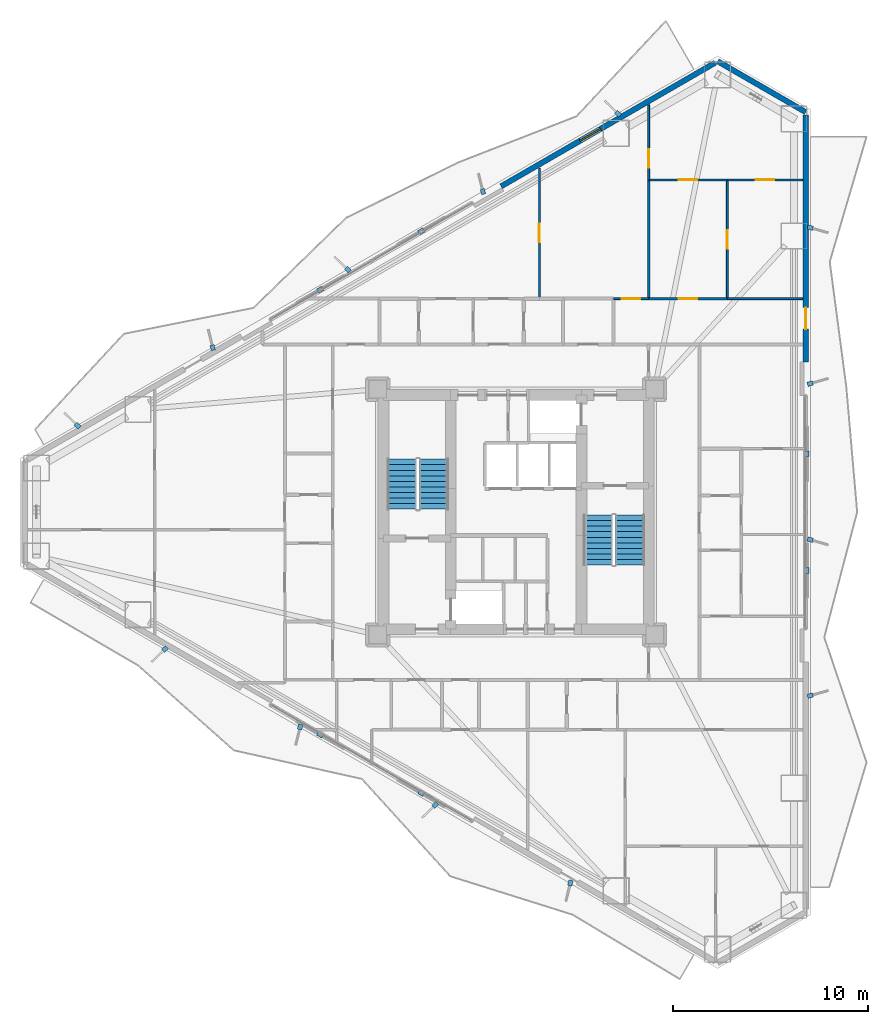
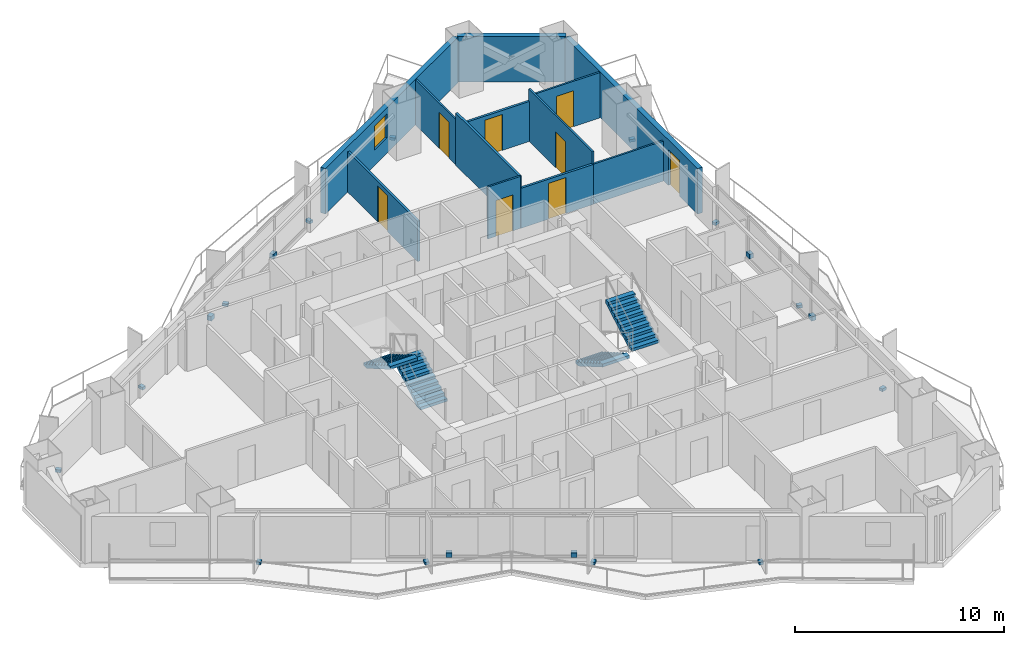
# One storey, part 17 of 19: 19 discrete accessories, 12 walls, 8 doors, 4 stair flights, 1 window, 9 openings, 2 elements without a shape of their own.
"""IFC4 building model written with IfcOpenShell, lengths in metres."""

from ifc_helpers import new_model, si_unit, direction, frame, frame_2d, origin, origin_2d, place, context, subcontext, project, spatial, polyline, rectangle, outline, extrude, material, layer, layer_set, type_object, element, fill, aggregate, save


model = new_model("IFC4")

# Units and contexts
model_context = context("Model", 3, precision=1e-05, world=origin(), true_north=direction((0.0, 1.0)))
body_context = subcontext(model_context, "Body", "Model", "MODEL_VIEW")
ifc_project = project(units=[si_unit("LENGTHUNIT", "METRE"), si_unit("AREAUNIT", "SQUARE_METRE"), si_unit("VOLUMEUNIT", "CUBIC_METRE"), si_unit("PLANEANGLEUNIT", "RADIAN"), si_unit("MASSUNIT", "GRAM", prefix="KILO")], contexts=[model_context])

# Site, building, storey
site_placement = place(None, origin())
site = spatial("IfcSite", under=ifc_project, at=site_placement, CompositionType="ELEMENT")
building_placement = place(site_placement, origin())
building = spatial("IfcBuilding", under=site, at=building_placement, Name="Mersakhor Tower and Convention Hall", CompositionType="ELEMENT")
storey_placement = place(building_placement, frame((0.0, 0.0, 29.10009765625)))
storey = spatial("IfcBuildingStorey", under=building, at=storey_placement, Name="L07", CompositionType="ELEMENT", Elevation=29.10009765625)

# Wall
ifc_material_1 = material(Name="Precast concrete C45/55", Category="concrete")
ifc_layer_1 = layer(ifc_material_1, 0.27490234375)
ifc_layer_set_1 = layer_set([ifc_layer_1], Name="Precast concrete C45/55")
wall_type_1 = type_object("IfcWallType", Name="WL-EXT-275", PredefinedType="SOLIDWALL", material=ifc_layer_set_1)
wall_1_placement = place(storey_placement, frame((39.3369140625, 49.865234375, 0.0), z_axis=(0.0, 0.0, 1.0), x_axis=(0.866043601342, -0.499968479581, 0.0)))
element("IfcWall", 1, at=wall_1_placement, inside=storey, type_object=wall_type_1, Name="L07 Chamfer Braced Spandrel Wall C1", PredefinedType="SOLIDWALL", context=body_context, shape_type="SweptSolid", body=[
    extrude(rectangle(XDim=5.211181640625, YDim=0.27490234375, at=frame_2d((2.60546875, 0.0))), origin(), (0.0, 0.0, 1.0), 2.659912109375),
])

# Wall, opening, window
wall_2_placement = place(storey_placement, frame((28.231689453125, 43.453857421875, 0.0), z_axis=(0.0, 0.0, 1.0), x_axis=(0.86603192154, 0.499988710747, 0.0)))
wall_2 = element("IfcWall", 2, at=wall_2_placement, inside=storey, type_object=wall_type_1, Name="L07 Exterior Facade Wall F1-B3", PredefinedType="SOLIDWALL", context=body_context, shape_type="SweptSolid", body=[
    extrude(rectangle(XDim=12.673095703125, YDim=0.27490234375, at=frame_2d((6.33642578125, 0.0))), origin(), (0.0, 0.0, 1.0), 2.659912109375),
])
opening_1_placement = place(wall_2_placement, frame((4.679931640625, 0.0, 0.89990234375)))
opening_1 = element("IfcOpeningElement", 3, at=opening_1_placement, cuts=wall_2, Name="Opening W-01", PredefinedType="OPENING", context=body_context, shape_type="SweptSolid", body=[
    extrude(rectangle(XDim=1.199951171875, YDim=1.39990234375, at=frame_2d((0.60009765625, 0.699951171875))), frame((0.0, 0.1474609375, 0.0), z_axis=(0.0, -1.0, 0.0), x_axis=(1.0, 0.0, 0.0)), (0.0, 0.0, 1.0), 0.294921875),
])
ifc_material_2 = material(Name="Dark solar low-E glazed aluminium window", Category="aluminium")
window_type = type_object("IfcWindowType", Name="WN-RES-120x150", PartitioningType="SINGLE_PANEL", PredefinedType="WINDOW", material=ifc_material_2)
window_placement = place(opening_1_placement, origin())
window = element("IfcWindow", 4, at=window_placement, inside=storey, type_object=window_type, Name="L07 Bedroom Facade Window F1-B3-1", OverallHeight=1.39990234375, OverallWidth=1.199951171875, PartitioningType="SINGLE_PANEL", PredefinedType="WINDOW", context=body_context, shape_type="SweptSolid", body=[
    extrude(rectangle(XDim=1.199951171875, YDim=1.39990234375, at=frame_2d((0.60009765625, 0.699951171875))), frame((0.0, 0.030029296875, 0.0), z_axis=(0.0, -1.0, 0.0), x_axis=(1.0, 0.0, 0.0)), (0.0, 0.0, 1.0), 0.06005859375),
])
fill(opening_1, window)

# Wall, opening, door
wall_3_placement = place(storey_placement, frame((43.85009765625, 47.109619140625, 0.0), z_axis=(0.0, 0.0, 1.0), x_axis=(0.0, -1.0, 0.0)))
wall_3 = element("IfcWall", 5, at=wall_3_placement, inside=storey, type_object=wall_type_1, Name="L07 Exterior Facade Wall F2-B1", PredefinedType="SOLIDWALL", context=body_context, shape_type="SweptSolid", body=[
    extrude(rectangle(XDim=12.673095703125, YDim=0.27490234375, at=frame_2d((6.33642578125, 0.0))), origin(), (0.0, 0.0, 1.0), 2.659912109375),
])
opening_2_placement = place(wall_3_placement, frame((9.8798828125, 0.0, 0.0)))
opening_2 = element("IfcOpeningElement", 6, at=opening_2_placement, cuts=wall_3, Name="Opening BD-02", PredefinedType="OPENING", context=body_context, shape_type="SweptSolid", body=[
    extrude(rectangle(XDim=1.10009765625, YDim=2.10009765625, at=frame_2d((0.550048828125, 1.050048828125))), frame((0.0, 0.1474609375, 0.0), z_axis=(0.0, -1.0, 0.0), x_axis=(1.0, 0.0, 0.0)), (0.0, 0.0, 1.0), 0.294921875),
])
ifc_material_3 = material(Name="Thermally broken dark aluminium and safety glass", Category="aluminium")
door_type_1 = type_object("IfcDoorType", Name="DR-BAL-110x210", OperationType="NOTDEFINED", PredefinedType="DOOR", material=ifc_material_3)
door_1_placement = place(opening_2_placement, origin())
door_1 = element("IfcDoor", 7, at=door_1_placement, inside=storey, type_object=door_type_1, Name="L07 Balcony Terrace Door F2-B1", OperationType="SINGLE_SWING_RIGHT", OverallHeight=2.10009765625, OverallWidth=1.10009765625, PredefinedType="DOOR", context=body_context, shape_type="SweptSolid", body=[
    extrude(rectangle(XDim=1.10009765625, YDim=2.10009765625, at=frame_2d((0.550048828125, 1.050048828125))), frame((0.0, 0.02490234375, 0.0), z_axis=(0.0, -1.0, 0.0), x_axis=(1.0, 0.0, 0.0)), (0.0, 0.0, 1.0), 0.050048828125),
])
fill(opening_2, door_1)

ifc_material_4 = material(Name="Lightweight gypsum partition", Category="other")
ifc_layer_2 = layer(ifc_material_4, 0.10009765625)
ifc_layer_set_2 = layer_set([ifc_layer_2], Name="Lightweight gypsum partition")
wall_type_2 = type_object("IfcWallType", Name="WL-PRT-100", PredefinedType="PARTITIONING", material=ifc_layer_set_2)
wall_4_placement = place(storey_placement, frame((34.0, 37.699951171875, 0.0), z_axis=(0.0, 0.0, 1.0), x_axis=(1.0, 0.0, 0.0)))
wall_4 = element("IfcWall", 8, at=wall_4_placement, inside=storey, type_object=wall_type_2, Name="L07 Interior Partition Wall P-116", PredefinedType="PARTITIONING", context=body_context, shape_type="SweptSolid", body=[
    extrude(rectangle(XDim=1.800048828125, YDim=0.10009765625, at=frame_2d((0.89990234375, 0.0))), origin(), (0.0, 0.0, 1.0), 3.039794921875),
])
opening_3_placement = place(wall_4_placement, frame((0.425048828125, 0.0, 0.0)))
opening_3 = element("IfcOpeningElement", 9, at=opening_3_placement, cuts=wall_4, Name="Opening RD-01", PredefinedType="OPENING", context=body_context, shape_type="SweptSolid", body=[
    extrude(rectangle(XDim=0.949951171875, YDim=2.10009765625, at=frame_2d((0.47509765625, 1.050048828125))), frame((0.0, 0.06005859375, 0.0), z_axis=(0.0, -1.0, 0.0), x_axis=(1.0, 0.0, 0.0)), (0.0, 0.0, 1.0), 0.1201171875),
])
ifc_material_5 = material(Name="Solid-core hardwood leaf in painted steel frame", Category="steel")
door_type_2 = type_object("IfcDoorType", Name="DR-INT-RM-095x210", OperationType="NOTDEFINED", PredefinedType="DOOR", material=ifc_material_5)
door_2_placement = place(opening_3_placement, origin())
door_2 = element("IfcDoor", 10, at=door_2_placement, inside=storey, type_object=door_type_2, Name="L07 L07 Flat N1 Study Room to L07 Flat N1 Master Bedroom Door", OperationType="SINGLE_SWING_RIGHT", OverallHeight=2.10009765625, OverallWidth=0.949951171875, PredefinedType="DOOR", context=body_context, shape_type="SweptSolid", body=[
    extrude(rectangle(XDim=0.949951171875, YDim=2.10009765625, at=frame_2d((0.47509765625, 1.050048828125))), frame((0.0, 0.02490234375, 0.0), z_axis=(0.0, -1.0, 0.0), x_axis=(1.0, 0.0, 0.0)), (0.0, 0.0, 1.0), 0.050048828125),
])
fill(opening_3, door_2)

# Wall
wall_5_placement = place(storey_placement, frame((39.830078125, 37.699951171875, 0.0), z_axis=(0.0, 0.0, 1.0), x_axis=(1.0, 0.0, 0.0)))
element("IfcWall", 11, at=wall_5_placement, inside=storey, type_object=wall_type_2, Name="L07 Interior Partition Wall P-118", PredefinedType="PARTITIONING", context=body_context, shape_type="SweptSolid", body=[
    extrude(rectangle(XDim=3.8583984375, YDim=0.10009765625, at=frame_2d((1.92919921875, 0.0))), origin(), (0.0, 0.0, 1.0), 2.33740234375),
])

# Wall, opening, door
wall_6_placement = place(storey_placement, frame((35.800048828125, 47.63671875, 0.0), z_axis=(0.0, 0.0, 1.0), x_axis=(0.0, -1.0, 0.0)))
wall_6 = element("IfcWall", 12, at=wall_6_placement, inside=storey, type_object=wall_type_2, Name="L07 Interior Partition Wall P-120", PredefinedType="PARTITIONING", context=body_context, shape_type="SweptSolid", body=[
    extrude(rectangle(XDim=3.856689453125, YDim=0.10009765625, at=frame_2d((1.92822265625, 0.0))), origin(), (0.0, 0.0, 1.0), 2.650390625),
])
opening_4_placement = place(wall_6_placement, frame((2.27734375, 0.0, 0.0)))
opening_4 = element("IfcOpeningElement", 13, at=opening_4_placement, cuts=wall_6, Name="Opening RD-01", PredefinedType="OPENING", context=body_context, shape_type="SweptSolid", body=[
    extrude(rectangle(XDim=0.949951171875, YDim=2.10009765625, at=frame_2d((0.47509765625, 1.050048828125))), frame((0.0, 0.06005859375, 0.0), z_axis=(0.0, -1.0, 0.0), x_axis=(1.0, 0.0, 0.0)), (0.0, 0.0, 1.0), 0.1201171875),
])
door_3_placement = place(opening_4_placement, origin())
door_3 = element("IfcDoor", 14, at=door_3_placement, inside=storey, type_object=door_type_2, Name="L07 L07 Flat N1 Master Bedroom to L07 Flat N1 Dining Room Door", OperationType="SINGLE_SWING_LEFT", OverallHeight=2.10009765625, OverallWidth=0.949951171875, PredefinedType="DOOR", context=body_context, shape_type="SweptSolid", body=[
    extrude(rectangle(XDim=0.949951171875, YDim=2.10009765625, at=frame_2d((0.47509765625, 1.050048828125))), frame((0.0, 0.02490234375, 0.0), z_axis=(0.0, -1.0, 0.0), x_axis=(1.0, 0.0, 0.0)), (0.0, 0.0, 1.0), 0.050048828125),
])
fill(opening_4, door_3)

wall_7_placement = place(storey_placement, frame((39.830078125, 43.780029296875, 0.0), z_axis=(0.0, 0.0, 1.0), x_axis=(0.0, -1.0, 0.0)))
wall_7 = element("IfcWall", 15, at=wall_7_placement, inside=storey, type_object=wall_type_2, Name="L07 Interior Partition Wall P-122", PredefinedType="PARTITIONING", context=body_context, shape_type="SweptSolid", body=[
    extrude(rectangle(XDim=6.080078125, YDim=0.10009765625, at=frame_2d((3.0400390625, 0.0))), origin(), (0.0, 0.0, 1.0), 3.039794921875),
])
opening_5_placement = place(wall_7_placement, frame((2.56494140625, 0.0, 0.0)))
opening_5 = element("IfcOpeningElement", 16, at=opening_5_placement, cuts=wall_7, Name="Opening RD-01", PredefinedType="OPENING", context=body_context, shape_type="SweptSolid", body=[
    extrude(rectangle(XDim=0.949951171875, YDim=2.10009765625, at=frame_2d((0.47509765625, 1.050048828125))), frame((0.0, 0.06005859375, 0.0), z_axis=(0.0, -1.0, 0.0), x_axis=(1.0, 0.0, 0.0)), (0.0, 0.0, 1.0), 0.1201171875),
])
door_4_placement = place(opening_5_placement, origin())
door_4 = element("IfcDoor", 17, at=door_4_placement, inside=storey, type_object=door_type_2, Name="L07 L07 Flat N1 Bedroom 2 to L07 Flat N1 Study Room Door", OperationType="SINGLE_SWING_RIGHT", OverallHeight=2.10009765625, OverallWidth=0.949951171875, PredefinedType="DOOR", context=body_context, shape_type="SweptSolid", body=[
    extrude(rectangle(XDim=0.949951171875, YDim=2.10009765625, at=frame_2d((0.47509765625, 1.050048828125))), frame((0.0, 0.02490234375, 0.0), z_axis=(0.0, -1.0, 0.0), x_axis=(1.0, 0.0, 0.0)), (0.0, 0.0, 1.0), 0.050048828125),
])
fill(opening_5, door_4)

wall_8_placement = place(storey_placement, frame((39.830078125, 43.780029296875, 0.0), z_axis=(0.0, 0.0, 1.0), x_axis=(1.0, 0.0, 0.0)))
wall_8 = element("IfcWall", 18, at=wall_8_placement, inside=storey, type_object=wall_type_2, Name="L07 Interior Partition Wall P-124", PredefinedType="PARTITIONING", context=body_context, shape_type="SweptSolid", body=[
    extrude(rectangle(XDim=3.8583984375, YDim=0.10009765625, at=frame_2d((1.92919921875, 0.0))), origin(), (0.0, 0.0, 1.0), 2.650390625),
])
opening_6_placement = place(wall_8_placement, frame((1.4541015625, 0.0, 0.0)))
opening_6 = element("IfcOpeningElement", 19, at=opening_6_placement, cuts=wall_8, Name="Opening RD-01", PredefinedType="OPENING", context=body_context, shape_type="SweptSolid", body=[
    extrude(rectangle(XDim=0.949951171875, YDim=2.10009765625, at=frame_2d((0.47509765625, 1.050048828125))), frame((0.0, 0.06005859375, 0.0), z_axis=(0.0, -1.0, 0.0), x_axis=(1.0, 0.0, 0.0)), (0.0, 0.0, 1.0), 0.1201171875),
])
door_5_placement = place(opening_6_placement, origin())
door_5 = element("IfcDoor", 20, at=door_5_placement, inside=storey, type_object=door_type_2, Name="L07 L07 Flat N1 Study Room to L07 Flat N1 Dining Room Door", OperationType="SINGLE_SWING_RIGHT", OverallHeight=2.10009765625, OverallWidth=0.949951171875, PredefinedType="DOOR", context=body_context, shape_type="SweptSolid", body=[
    extrude(rectangle(XDim=0.949951171875, YDim=2.10009765625, at=frame_2d((0.47509765625, 1.050048828125))), frame((0.0, 0.02490234375, 0.0), z_axis=(0.0, -1.0, 0.0), x_axis=(1.0, 0.0, 0.0)), (0.0, 0.0, 1.0), 0.050048828125),
])
fill(opening_6, door_5)

ifc_material_6 = material(Name="Gypsum board acoustic partition", Category="other")
ifc_layer_3 = layer(ifc_material_6, 0.125)
ifc_layer_set_3 = layer_set([ifc_layer_3], Name="Gypsum board acoustic partition")
wall_type_3 = type_object("IfcWallType", Name="WL-PRT-125", PredefinedType="PARTITIONING", material=ifc_layer_set_3)
wall_9_placement = place(storey_placement, frame((35.800048828125, 37.699951171875, 0.0), z_axis=(0.0, 0.0, 1.0), x_axis=(1.0, 0.0, 0.0)))
wall_9 = element("IfcWall", 21, at=wall_9_placement, inside=storey, type_object=wall_type_3, Name="L07 Interior Partition Wall P-117", PredefinedType="PARTITIONING", context=body_context, shape_type="SweptSolid", body=[
    extrude(rectangle(XDim=4.030029296875, YDim=0.125, at=frame_2d((2.01513671875, 0.0))), origin(), (0.0, 0.0, 1.0), 2.33740234375),
])
opening_7_placement = place(wall_9_placement, frame((1.5400390625, 0.0, 0.0)))
opening_7 = element("IfcOpeningElement", 22, at=opening_7_placement, cuts=wall_9, Name="Opening RD-01", PredefinedType="OPENING", context=body_context, shape_type="SweptSolid", body=[
    extrude(rectangle(XDim=0.949951171875, YDim=2.10009765625, at=frame_2d((0.47509765625, 1.050048828125))), frame((0.0, 0.072509765625, 0.0), z_axis=(0.0, -1.0, 0.0), x_axis=(1.0, 0.0, 0.0)), (0.0, 0.0, 1.0), 0.14501953125),
])
door_6_placement = place(opening_7_placement, origin())
door_6 = element("IfcDoor", 23, at=door_6_placement, inside=storey, type_object=door_type_2, Name="L07 L07 Flat N1 Study Room to L07 Flat N1 Bedroom 2 Door", OperationType="SINGLE_SWING_LEFT", OverallHeight=2.10009765625, OverallWidth=0.949951171875, PredefinedType="DOOR", context=body_context, shape_type="SweptSolid", body=[
    extrude(rectangle(XDim=0.949951171875, YDim=2.10009765625, at=frame_2d((0.47509765625, 1.050048828125))), frame((0.0, 0.02490234375, 0.0), z_axis=(0.0, -1.0, 0.0), x_axis=(1.0, 0.0, 0.0)), (0.0, 0.0, 1.0), 0.050048828125),
])
fill(opening_7, door_6)

wall_10_placement = place(storey_placement, frame((30.199951171875, 44.40380859375, 0.0), z_axis=(0.0, 0.0, 1.0), x_axis=(0.0, -1.0, 0.0)))
wall_10 = element("IfcWall", 24, at=wall_10_placement, inside=storey, type_object=wall_type_3, Name="L07 Interior Partition Wall P-119", PredefinedType="PARTITIONING", context=body_context, shape_type="SweptSolid", body=[
    extrude(rectangle(XDim=6.703857421875, YDim=0.125, at=frame_2d((3.35205078125, 0.0))), origin(), (0.0, 0.0, 1.0), 2.364990234375),
])
opening_8_placement = place(wall_10_placement, frame((2.876708984375, 0.0, 0.0)))
opening_8 = element("IfcOpeningElement", 25, at=opening_8_placement, cuts=wall_10, Name="Opening RD-01", PredefinedType="OPENING", context=body_context, shape_type="SweptSolid", body=[
    extrude(rectangle(XDim=0.949951171875, YDim=2.10009765625, at=frame_2d((0.47509765625, 1.050048828125))), frame((0.0, 0.072509765625, 0.0), z_axis=(0.0, -1.0, 0.0), x_axis=(1.0, 0.0, 0.0)), (0.0, 0.0, 1.0), 0.14501953125),
])
door_7_placement = place(opening_8_placement, origin())
door_7 = element("IfcDoor", 26, at=door_7_placement, inside=storey, type_object=door_type_2, Name="L07 L07 Flat N1 Living and Dining Room to L07 Flat N1 Master Bedroom Door", OperationType="SINGLE_SWING_RIGHT", OverallHeight=2.10009765625, OverallWidth=0.949951171875, PredefinedType="DOOR", context=body_context, shape_type="SweptSolid", body=[
    extrude(rectangle(XDim=0.949951171875, YDim=2.10009765625, at=frame_2d((0.47509765625, 1.050048828125))), frame((0.0, 0.02490234375, 0.0), z_axis=(0.0, -1.0, 0.0), x_axis=(1.0, 0.0, 0.0)), (0.0, 0.0, 1.0), 0.050048828125),
])
fill(opening_8, door_7)

# Wall
wall_11_placement = place(storey_placement, frame((35.800048828125, 43.780029296875, 0.0), z_axis=(0.0, 0.0, 1.0), x_axis=(0.0, -1.0, 0.0)))
element("IfcWall", 27, at=wall_11_placement, inside=storey, type_object=wall_type_3, Name="L07 Interior Partition Wall P-121", PredefinedType="PARTITIONING", context=body_context, shape_type="SweptSolid", body=[
    extrude(rectangle(XDim=6.080078125, YDim=0.125, at=frame_2d((3.0400390625, 0.0))), origin(), (0.0, 0.0, 1.0), 3.039794921875),
])

# Wall, opening, door
wall_12_placement = place(storey_placement, frame((35.800048828125, 43.780029296875, 0.0), z_axis=(0.0, 0.0, 1.0), x_axis=(1.0, 0.0, 0.0)))
wall_12 = element("IfcWall", 28, at=wall_12_placement, inside=storey, type_object=wall_type_3, Name="L07 Interior Partition Wall P-123", PredefinedType="PARTITIONING", context=body_context, shape_type="SweptSolid", body=[
    extrude(rectangle(XDim=4.030029296875, YDim=0.125, at=frame_2d((2.01513671875, 0.0))), origin(), (0.0, 0.0, 1.0), 2.33740234375),
])
opening_9_placement = place(wall_12_placement, frame((1.5400390625, 0.0, 0.0)))
opening_9 = element("IfcOpeningElement", 29, at=opening_9_placement, cuts=wall_12, Name="Opening RD-01", PredefinedType="OPENING", context=body_context, shape_type="SweptSolid", body=[
    extrude(rectangle(XDim=0.949951171875, YDim=2.10009765625, at=frame_2d((0.47509765625, 1.050048828125))), frame((0.0, 0.072509765625, 0.0), z_axis=(0.0, -1.0, 0.0), x_axis=(1.0, 0.0, 0.0)), (0.0, 0.0, 1.0), 0.14501953125),
])
door_8_placement = place(opening_9_placement, origin())
door_8 = element("IfcDoor", 30, at=door_8_placement, inside=storey, type_object=door_type_2, Name="L07 L07 Flat N1 Bedroom 2 to L07 Flat N1 Dining Room Door", OperationType="SINGLE_SWING_LEFT", OverallHeight=2.10009765625, OverallWidth=0.949951171875, PredefinedType="DOOR", context=body_context, shape_type="SweptSolid", body=[
    extrude(rectangle(XDim=0.949951171875, YDim=2.10009765625, at=frame_2d((0.47509765625, 1.050048828125))), frame((0.0, 0.02490234375, 0.0), z_axis=(0.0, -1.0, 0.0), x_axis=(1.0, 0.0, 0.0)), (0.0, 0.0, 1.0), 0.050048828125),
])
fill(opening_9, door_8)

# Stair, stair flights
ifc_material_7 = material(Name="Concrete C45/55", Category="concrete")
stair_type = type_object("IfcStairType", Name="ST-TWR-20R", PredefinedType="HALF_TURN_STAIR", material=ifc_material_7)
stair_1_placement = place(storey_placement, origin())
stair_1 = element("IfcStair", 31, at=stair_1_placement, inside=storey, type_object=stair_type, Name="L07 Tower Protected Exit Stair ST-1", PredefinedType="HALF_TURN_STAIR")
ifc_material_8 = material(Name="Concrete C45/55", Category="concrete")
stair_flight_type = type_object("IfcStairFlightType", Name="SFL-TWR-20R", PredefinedType="STRAIGHT", material=ifc_material_8)
stair_flight_1_placement = place(storey_placement, frame((24.800048828125, 26.89990234375, 0.0), z_axis=(0.0, 0.0, 1.0), x_axis=(0.0, 1.0, 0.0)))
stair_flight_1 = element("IfcStairFlight", 32, at=stair_flight_1_placement, type_object=stair_flight_type, Name="ST-1 flight 1", NumberOfRisers=10, NumberOfTreads=9, PredefinedType="STRAIGHT", RiserHeight=0.165, TreadLength=0.285, context=body_context, shape_type="SweptSolid", body=[
    extrude(outline(polyline([(0.0, 0.0), (0.0, 0.1650390625), (0.284912109375, 0.1650390625), (0.284912109375, 0.330078125), (0.570068359375, 0.330078125), (0.570068359375, 0.4951171875), (0.85498046875, 0.4951171875), (0.85498046875, 0.659912109375), (1.139892578125, 0.659912109375), (1.139892578125, 0.824951171875), (1.425048828125, 0.824951171875), (1.425048828125, 0.989990234375), (1.7099609375, 0.989990234375), (1.7099609375, 1.155029296875), (1.9951171875, 1.155029296875), (1.9951171875, 1.320068359375), (2.280029296875, 1.320068359375), (2.280029296875, 1.485107421875), (2.56494140625, 1.485107421875), (2.56494140625, 1.64990234375), (2.56494140625, 1.311767578125), (0.299072265625, 0.0), (0.0, 0.0)])), frame((0.0, 0.75, 0.0), z_axis=(0.0, -1.0, 0.0), x_axis=(1.0, 0.0, 0.0)), (0.0, 0.0, 1.0), 1.5),
])
stair_flight_2_placement = place(storey_placement, frame((23.14990234375, 29.465087890625, 1.64990234375), z_axis=(0.0, 0.0, 1.0), x_axis=(0.0, -1.0, 0.0)))
stair_flight_2 = element("IfcStairFlight", 33, at=stair_flight_2_placement, type_object=stair_flight_type, Name="ST-1 flight 2", NumberOfRisers=10, NumberOfTreads=9, PredefinedType="STRAIGHT", RiserHeight=0.165, TreadLength=0.285, context=body_context, shape_type="SweptSolid", body=[
    extrude(outline(polyline([(0.0, 0.0), (0.0, 0.1650390625), (0.284912109375, 0.1650390625), (0.284912109375, 0.330078125), (0.570068359375, 0.330078125), (0.570068359375, 0.4951171875), (0.85498046875, 0.4951171875), (0.85498046875, 0.659912109375), (1.139892578125, 0.659912109375), (1.139892578125, 0.824951171875), (1.425048828125, 0.824951171875), (1.425048828125, 0.989990234375), (1.7099609375, 0.989990234375), (1.7099609375, 1.155029296875), (1.9951171875, 1.155029296875), (1.9951171875, 1.320068359375), (2.280029296875, 1.320068359375), (2.280029296875, 1.485107421875), (2.56494140625, 1.485107421875), (2.56494140625, 1.64990234375), (2.56494140625, 1.311767578125), (0.299072265625, 0.0), (0.0, 0.0)])), frame((0.0, 0.75, 0.0), z_axis=(0.0, -1.0, 0.0), x_axis=(1.0, 0.0, 0.0)), (0.0, 0.0, 1.0), 1.5),
])
aggregate(stair_1, [stair_flight_1, stair_flight_2])

stair_2_placement = place(storey_placement, origin())
stair_2 = element("IfcStair", 34, at=stair_2_placement, inside=storey, type_object=stair_type, Name="L07 Tower Protected Exit Stair ST-2", PredefinedType="HALF_TURN_STAIR")
stair_flight_3_placement = place(storey_placement, frame((33.199951171875, 26.60009765625, 0.0), z_axis=(0.0, 0.0, 1.0), x_axis=(0.0, -1.0, 0.0)))
stair_flight_3 = element("IfcStairFlight", 35, at=stair_flight_3_placement, type_object=stair_flight_type, Name="ST-2 flight 1", NumberOfRisers=10, NumberOfTreads=9, PredefinedType="STRAIGHT", RiserHeight=0.165, TreadLength=0.285, context=body_context, shape_type="SweptSolid", body=[
    extrude(outline(polyline([(0.0, 0.0), (0.0, 0.1650390625), (0.284912109375, 0.1650390625), (0.284912109375, 0.330078125), (0.570068359375, 0.330078125), (0.570068359375, 0.4951171875), (0.85498046875, 0.4951171875), (0.85498046875, 0.659912109375), (1.139892578125, 0.659912109375), (1.139892578125, 0.824951171875), (1.425048828125, 0.824951171875), (1.425048828125, 0.989990234375), (1.7099609375, 0.989990234375), (1.7099609375, 1.155029296875), (1.9951171875, 1.155029296875), (1.9951171875, 1.320068359375), (2.280029296875, 1.320068359375), (2.280029296875, 1.485107421875), (2.56494140625, 1.485107421875), (2.56494140625, 1.64990234375), (2.56494140625, 1.311767578125), (0.299072265625, 0.0), (0.0, 0.0)])), frame((0.0, 0.75, 0.0), z_axis=(0.0, -1.0, 0.0), x_axis=(1.0, 0.0, 0.0)), (0.0, 0.0, 1.0), 1.5),
])
stair_flight_4_placement = place(storey_placement, frame((34.85009765625, 24.034912109375, 1.64990234375), z_axis=(0.0, 0.0, 1.0), x_axis=(0.0, 1.0, 0.0)))
stair_flight_4 = element("IfcStairFlight", 36, at=stair_flight_4_placement, type_object=stair_flight_type, Name="ST-2 flight 2", NumberOfRisers=10, NumberOfTreads=9, PredefinedType="STRAIGHT", RiserHeight=0.165, TreadLength=0.285, context=body_context, shape_type="SweptSolid", body=[
    extrude(outline(polyline([(0.0, 0.0), (0.0, 0.1650390625), (0.284912109375, 0.1650390625), (0.284912109375, 0.330078125), (0.570068359375, 0.330078125), (0.570068359375, 0.4951171875), (0.85498046875, 0.4951171875), (0.85498046875, 0.659912109375), (1.139892578125, 0.659912109375), (1.139892578125, 0.824951171875), (1.425048828125, 0.824951171875), (1.425048828125, 0.989990234375), (1.7099609375, 0.989990234375), (1.7099609375, 1.155029296875), (1.9951171875, 1.155029296875), (1.9951171875, 1.320068359375), (2.280029296875, 1.320068359375), (2.280029296875, 1.485107421875), (2.56494140625, 1.485107421875), (2.56494140625, 1.64990234375), (2.56494140625, 1.311767578125), (0.299072265625, 0.0), (0.0, 0.0)])), frame((0.0, 0.75, 0.0), z_axis=(0.0, -1.0, 0.0), x_axis=(1.0, 0.0, 0.0)), (0.0, 0.0, 1.0), 1.5),
])
aggregate(stair_2, [stair_flight_3, stair_flight_4])

# Discrete accessories
ifc_material_9 = material(Name="Galvanised steel bracket", Category="steel")
ifc_layer_4 = layer(ifc_material_9, 0.02001953125)
ifc_layer_set_4 = layer_set([ifc_layer_4], Name="Galvanised steel bracket")
discrete_accessory_type = type_object("IfcDiscreteAccessoryType", Name="ACC-BRK-STL", PredefinedType="BRACKET", material=ifc_layer_set_4)
for number, where, z_axis, x_axis, name in (
    (37, (18.957763671875, 38.156982421875, 0.2900390625), (0.0, 0.0, 1.0), (0.866025403784, 0.5, 0.0), "L07 Solar Screen Outrigger Bracket BRK-1-1"),
    (38, (24.142333984375, 41.150390625, 0.2900390625), (0.0, 0.0, 1.0), (0.866025403784, 0.5, 0.0), "L07 Solar Screen Outrigger Bracket BRK-1-2"),
):
    element("IfcDiscreteAccessory", number, at=place(storey_placement, frame(where, z_axis=z_axis, x_axis=x_axis)), inside=storey, type_object=discrete_accessory_type, Name=name, PredefinedType="BRACKET", context=body_context, shape_type="SweptSolid", body=[
        extrude(rectangle(XDim=0.300048828125, YDim=0.239990234375, at=origin_2d()), origin(), (0.0, 0.0, 1.0), 0.260009765625),
    ])
for number, where, z_axis, x_axis, name in (
    (39, (6.517578125, 31.1826171875, -0.02001953125), (0.0, 0.0, 1.0), (-0.719339800339, 0.694658370459, 0.0), "L07 Facade Fin Base Cleat Bracket FBRK-1-1"),
    (40, (13.44580078125, 35.1826171875, -0.02001953125), (0.0, 0.0, 1.0), (-0.2419218956, 0.970295726276, 0.0), "L07 Facade Fin Base Cleat Bracket FBRK-1-2"),
    (41, (20.3740234375, 39.1826171875, -0.02001953125), (0.0, 0.0, 1.0), (-0.719339800339, 0.694658370459, 0.0), "L07 Facade Fin Base Cleat Bracket FBRK-1-3"),
    (42, (27.30224609375, 43.1826171875, -0.02001953125), (0.0, 0.0, 1.0), (-0.2419218956, 0.970295726276, 0.0), "L07 Facade Fin Base Cleat Bracket FBRK-1-4"),
    (43, (34.23046875, 47.1826171875, -0.02001953125), (0.0, 0.0, 1.0), (-0.719339800339, 0.694658370459, 0.0), "L07 Facade Fin Base Cleat Bracket FBRK-1-5"),
):
    element("IfcDiscreteAccessory", number, at=place(storey_placement, frame(where, z_axis=z_axis, x_axis=x_axis)), inside=storey, type_object=discrete_accessory_type, Name=name, PredefinedType="BRACKET", context=body_context, shape_type="SweptSolid", body=[
        extrude(rectangle(XDim=0.280029296875, YDim=0.219970703125, at=origin_2d()), origin(), (0.0, 0.0, 1.0), 0.159912109375),
    ])
for number, where, z_axis, x_axis, name in (
    (44, (43.89990234375, 29.743408203125, 0.2900390625), (0.0, 0.0, 1.0), (0.0, -1.0, 0.0), "L07 Solar Screen Outrigger Bracket BRK-2-1"),
    (45, (43.89990234375, 23.756591796875, 0.2900390625), (0.0, 0.0, 1.0), (0.0, -1.0, 0.0), "L07 Solar Screen Outrigger Bracket BRK-2-2"),
):
    element("IfcDiscreteAccessory", number, at=place(storey_placement, frame(where, z_axis=z_axis, x_axis=x_axis)), inside=storey, type_object=discrete_accessory_type, Name=name, PredefinedType="BRACKET", context=body_context, shape_type="SweptSolid", body=[
        extrude(rectangle(XDim=0.300048828125, YDim=0.239990234375, at=origin_2d()), origin(), (0.0, 0.0, 1.0), 0.260009765625),
    ])
for number, where, z_axis, x_axis, name in (
    (46, (44.080078125, 41.33740234375, -0.02001953125), (0.0, 0.0, 1.0), (0.961261695938, -0.275637355817, 0.0), "L07 Facade Fin Base Cleat Bracket FBRK-2-1"),
    (47, (44.080078125, 33.33740234375, -0.02001953125), (0.0, 0.0, 1.0), (0.961261695938, 0.275637355817, 0.0), "L07 Facade Fin Base Cleat Bracket FBRK-2-2"),
    (48, (44.080078125, 25.33740234375, -0.02001953125), (0.0, 0.0, 1.0), (0.961261695938, -0.275637355817, 0.0), "L07 Facade Fin Base Cleat Bracket FBRK-2-3"),
    (49, (44.080078125, 17.33740234375, -0.02001953125), (0.0, 0.0, 1.0), (0.961261695938, 0.275637355817, 0.0), "L07 Facade Fin Base Cleat Bracket FBRK-2-4"),
):
    element("IfcDiscreteAccessory", number, at=place(storey_placement, frame(where, z_axis=z_axis, x_axis=x_axis)), inside=storey, type_object=discrete_accessory_type, Name=name, PredefinedType="BRACKET", context=body_context, shape_type="SweptSolid", body=[
        extrude(rectangle(XDim=0.280029296875, YDim=0.219970703125, at=origin_2d()), origin(), (0.0, 0.0, 1.0), 0.159912109375),
    ])
for number, where, z_axis, x_axis, name in (
    (50, (24.14208984375, 12.349609375, 0.2900390625), (0.0, 0.0, 1.0), (-0.866025403784, 0.5, 0.0), "L07 Solar Screen Outrigger Bracket BRK-3-1"),
    (51, (18.957763671875, 15.3427734375, 0.2900390625), (0.0, 0.0, 1.0), (-0.866025403784, 0.5, 0.0), "L07 Solar Screen Outrigger Bracket BRK-3-2"),
):
    element("IfcDiscreteAccessory", number, at=place(storey_placement, frame(where, z_axis=z_axis, x_axis=x_axis)), inside=storey, type_object=discrete_accessory_type, Name=name, PredefinedType="BRACKET", context=body_context, shape_type="SweptSolid", body=[
        extrude(rectangle(XDim=0.300048828125, YDim=0.239990234375, at=origin_2d()), origin(), (0.0, 0.0, 1.0), 0.260009765625),
    ])
for number, where, z_axis, x_axis, name in (
    (52, (31.78369140625, 7.72998046875, -0.02001953125), (0.0, 0.0, 1.0), (-0.2419218956, -0.970295726276, 0.0), "L07 Facade Fin Base Cleat Bracket FBRK-3-1"),
    (53, (24.85546875, 11.72998046875, -0.02001953125), (0.0, 0.0, 1.0), (-0.719339800339, -0.694658370459, 0.0), "L07 Facade Fin Base Cleat Bracket FBRK-3-2"),
    (54, (17.92724609375, 15.72998046875, -0.02001953125), (0.0, 0.0, 1.0), (-0.2419218956, -0.970295726276, 0.0), "L07 Facade Fin Base Cleat Bracket FBRK-3-3"),
    (55, (10.9990234375, 19.72998046875, -0.02001953125), (0.0, 0.0, 1.0), (-0.719339800339, -0.694658370459, 0.0), "L07 Facade Fin Base Cleat Bracket FBRK-3-4"),
):
    element("IfcDiscreteAccessory", number, at=place(storey_placement, frame(where, z_axis=z_axis, x_axis=x_axis)), inside=storey, type_object=discrete_accessory_type, Name=name, PredefinedType="BRACKET", context=body_context, shape_type="SweptSolid", body=[
        extrude(rectangle(XDim=0.280029296875, YDim=0.219970703125, at=origin_2d()), origin(), (0.0, 0.0, 1.0), 0.159912109375),
    ])

save(model, "model.ifc")
